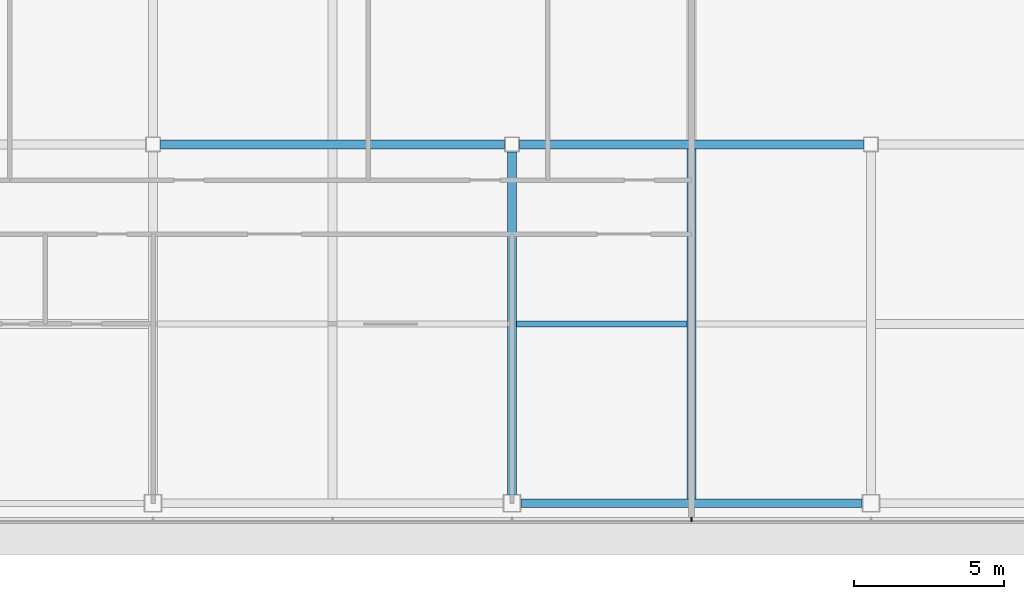
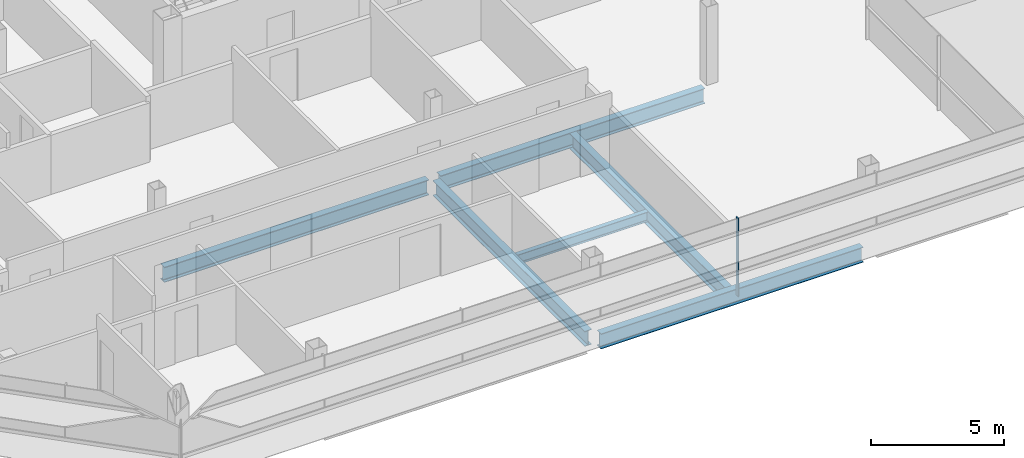
# One storey, part 5 of 30: 6 beams, 1 member, 1 element without a shape of its own.
"""IFC4 building model written with IfcOpenShell, lengths in metres."""

from ifc_helpers import new_model, si_unit, direction, frame, origin, origin_2d, place, context, subcontext, project, spatial, rectangle, i_section, extrude, material, material_profile, profile_set, type_object, element, aggregate, save


model = new_model("IFC4")

# Units and contexts
model_context = context("Model", 3, precision=1e-05, world=origin(), true_north=direction((0.0, 1.0)))
body_context = subcontext(model_context, "Body", "Model", "MODEL_VIEW")
ifc_project = project(units=[si_unit("LENGTHUNIT", "METRE"), si_unit("AREAUNIT", "SQUARE_METRE"), si_unit("VOLUMEUNIT", "CUBIC_METRE"), si_unit("PLANEANGLEUNIT", "RADIAN"), si_unit("MASSUNIT", "GRAM", prefix="KILO")], contexts=[model_context])

# Site, building, storey
site_placement = place(None, origin())
site = spatial("IfcSite", under=ifc_project, at=site_placement, CompositionType="ELEMENT")
building_placement = place(site_placement, origin())
building = spatial("IfcBuilding", under=site, at=building_placement, Name="Sorahane Residences", CompositionType="ELEMENT")
storey_placement = place(building_placement, frame((0.0, 0.0, 263.0)))
storey = spatial("IfcBuildingStorey", under=building, at=storey_placement, Name="L62", CompositionType="ELEMENT", Elevation=263.0)

# Curtain wall, member
ifc_material_1 = material(Name="Dark low-e glass and black anodised aluminium", Category="aluminium")
curtain_wall_type = type_object("IfcCurtainWallType", Name="Curtain wall CW-1 Typical unitised wall", PredefinedType="NOTDEFINED", material=ifc_material_1)
curtain_wall_placement = place(storey_placement, origin())
curtain_wall = element("IfcCurtainWall", 1, at=curtain_wall_placement, inside=storey, type_object=curtain_wall_type, Name="CW-1 curtain wall L62 S1", PredefinedType="NOTDEFINED")
ifc_material_2 = material(Name="Black anodised aluminium", Category="aluminium")
ifc_material_profile_1 = material_profile(ifc_material_2, rectangle(XDim=0.159912109375, YDim=0.050048828125, at=origin_2d()), Name="Curtain wall mullion CW-1 black anodised aluminium 50x160")
ifc_profile_set_1 = profile_set([ifc_material_profile_1], Name="Black anodised aluminium")
member_type = type_object("IfcMemberType", Name="Curtain wall mullion CW-1 black anodised aluminium 50x160", PredefinedType="MULLION", material=ifc_profile_set_1)
member_placement = place(storey_placement, frame((18.0, -0.5400390625, -0.179931640625), z_axis=(0.0, 0.0, 1.0), x_axis=(0.0, -1.0, 0.0)))
member = element("IfcMember", 2, at=member_placement, type_object=member_type, Name="CW-1 mullion L62 S1.5", PredefinedType="MULLION", context=body_context, shape_type="SweptSolid", body=[
    extrude(rectangle(XDim=0.159912109375, YDim=0.050048828125, at=origin_2d()), origin(), (0.0, 0.0, 1.0), 3.599853515625),
])
aggregate(curtain_wall, [member])

# Beams
ifc_material_3 = material(Name="Steel Q355B", Category="steel")
ifc_material_profile_2 = material_profile(ifc_material_3, i_section(OverallWidth=0.199951171875, OverallDepth=0.449951171875, WebThickness=0.009033203125, FlangeThickness=0.013916015625, FilletRadius=0.02001953125, at=origin_2d()), Name="HN 450x200x9x14")
ifc_profile_set_2 = profile_set([ifc_material_profile_2], Name="Steel Q355B")
beam_type_1 = type_object("IfcBeamType", Name="Steel floor beam HN 450x200x9x14 Q355B", PredefinedType="BEAM", material=ifc_profile_set_2)
beam_1_placement = place(storey_placement, frame((12.14990234375, 6.0, -0.405029296875), z_axis=(1.0, 0.0, 0.0), x_axis=(0.0, 1.0, 0.0)))
element("IfcBeam", 3, at=beam_1_placement, inside=storey, type_object=beam_type_1, Name="Beam L62 068", PredefinedType="BEAM", context=body_context, shape_type="SweptSolid", body=[
    extrude(i_section(OverallWidth=0.199951171875, OverallDepth=0.449951171875, WebThickness=0.009033203125, FlangeThickness=0.013916015625, FilletRadius=0.02001953125, at=origin_2d()), origin(), (0.0, 0.0, 1.0), 5.7001953125),
])
ifc_material_4 = material(Name="Steel Q355B", Category="steel")
ifc_material_profile_3 = material_profile(ifc_material_4, i_section(OverallWidth=0.300048828125, OverallDepth=0.699951171875, WebThickness=0.012939453125, FlangeThickness=0.02392578125, FilletRadius=0.028076171875, at=origin_2d()), Name="HN 700x300x13x24")
ifc_profile_set_3 = profile_set([ifc_material_profile_3], Name="Steel Q355B")
beam_type_2 = type_object("IfcBeamType", Name="Steel floor beam HN 700x300x13x24 Q355B", PredefinedType="BEAM", material=ifc_profile_set_3)
beam_2_placement = place(storey_placement, frame((12.300048828125, 0.0, -0.530029296875), z_axis=(1.0, 0.0, 0.0), x_axis=(0.0, 1.0, 0.0)))
element("IfcBeam", 4, at=beam_2_placement, inside=storey, type_object=beam_type_2, Name="Beam L62 002", PredefinedType="BEAM", context=body_context, shape_type="SweptSolid", body=[
    extrude(i_section(OverallWidth=0.300048828125, OverallDepth=0.699951171875, WebThickness=0.012939453125, FlangeThickness=0.02392578125, FilletRadius=0.028076171875, at=origin_2d()), origin(), (0.0, 0.0, 1.0), 11.39990234375),
])
for number, where, z_axis, x_axis, name in (
    (5, (0.25, 12.0, -0.530029296875), (1.0, 0.0, 0.0), (0.0, 1.0, 0.0), "Beam L62 005"),
    (6, (12.25, 12.0, -0.530029296875), (1.0, 0.0, 0.0), (0.0, 1.0, 0.0), "Beam L62 006"),
):
    element("IfcBeam", number, at=place(storey_placement, frame(where, z_axis=z_axis, x_axis=x_axis)), inside=storey, type_object=beam_type_2, Name=name, PredefinedType="BEAM", context=body_context, shape_type="SweptSolid", body=[
        extrude(i_section(OverallWidth=0.300048828125, OverallDepth=0.699951171875, WebThickness=0.012939453125, FlangeThickness=0.02392578125, FilletRadius=0.028076171875, at=origin_2d()), origin(), (0.0, 0.0, 1.0), 11.5),
    ])
beam_3_placement = place(storey_placement, frame((12.0, 0.300048828125, -0.530029296875), z_axis=(0.0, 1.0, 0.0), x_axis=(-1.0, 0.0, 0.0)))
element("IfcBeam", 7, at=beam_3_placement, inside=storey, type_object=beam_type_2, Name="Beam L62 033", PredefinedType="BEAM", context=body_context, shape_type="SweptSolid", body=[
    extrude(i_section(OverallWidth=0.300048828125, OverallDepth=0.699951171875, WebThickness=0.012939453125, FlangeThickness=0.02392578125, FilletRadius=0.028076171875, at=origin_2d()), origin(), (0.0, 0.0, 1.0), 11.449951171875),
])
beam_4_placement = place(storey_placement, frame((18.0, 0.14990234375, -0.530029296875), z_axis=(0.0, 1.0, 0.0), x_axis=(-1.0, 0.0, 0.0)))
element("IfcBeam", 8, at=beam_4_placement, inside=storey, type_object=beam_type_2, Name="Beam L62 035", PredefinedType="BEAM", context=body_context, shape_type="SweptSolid", body=[
    extrude(i_section(OverallWidth=0.300048828125, OverallDepth=0.699951171875, WebThickness=0.012939453125, FlangeThickness=0.02392578125, FilletRadius=0.028076171875, at=origin_2d()), origin(), (0.0, 0.0, 1.0), 11.7001953125),
])

save(model, "model.ifc")
